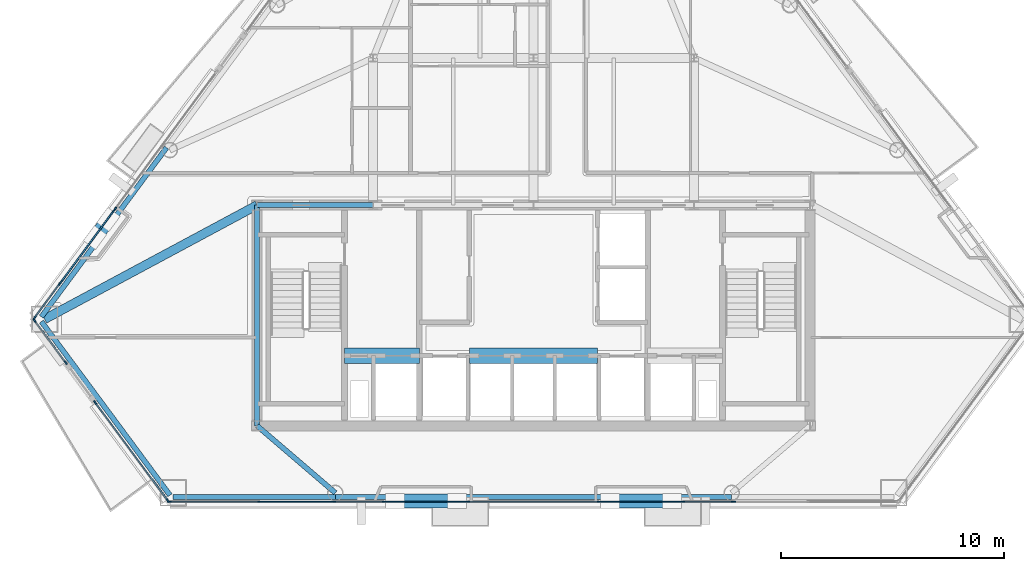
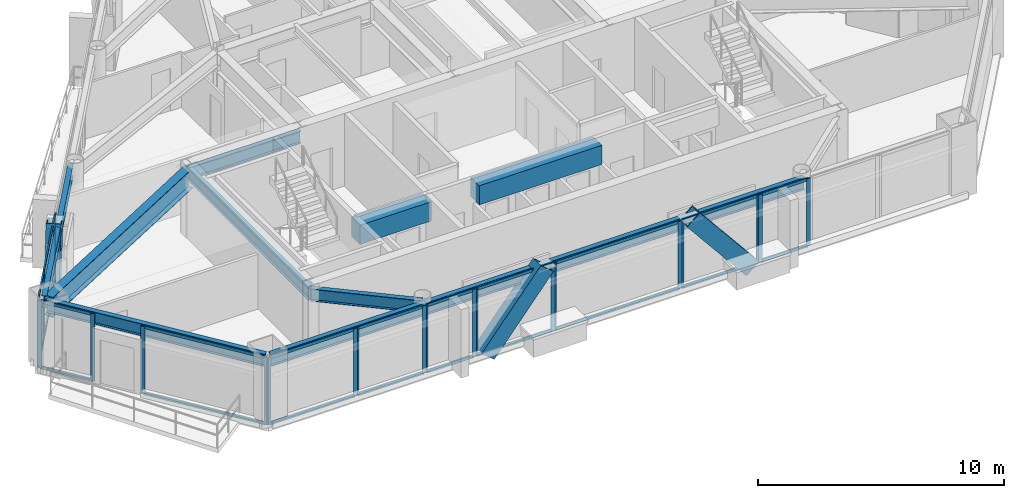
# One storey, part 3 of 13: 48 members, 10 beams, 12 elements without a shape of their own.
"""IFC4 building model written with IfcOpenShell, lengths in metres."""

from ifc_helpers import new_model, si_unit, direction, frame, origin, origin_2d, place, context, subcontext, project, spatial, rectangle, hollow_rectangle, i_section, extrude, material, layer, layer_set, material_profile, profile_set, type_object, element, aggregate, save


model = new_model("IFC4")

# Units and contexts
model_context = context("Model", 3, precision=1e-05, world=origin(), true_north=direction((0.0, 1.0)))
body_context = subcontext(model_context, "Body", "Model", "MODEL_VIEW")
ifc_project = project(units=[si_unit("LENGTHUNIT", "METRE"), si_unit("AREAUNIT", "SQUARE_METRE"), si_unit("VOLUMEUNIT", "CUBIC_METRE"), si_unit("PLANEANGLEUNIT", "RADIAN"), si_unit("MASSUNIT", "GRAM", prefix="KILO")], contexts=[model_context])

# Site, building, storey
site_placement = place(None, origin())
site = spatial("IfcSite", under=ifc_project, at=site_placement, CompositionType="ELEMENT")
building_placement = place(site_placement, origin())
building = spatial("IfcBuilding", under=site, at=building_placement, Name="Talgorran Terracotta Tower", CompositionType="ELEMENT")
storey_placement = place(building_placement, frame((0.0, 0.0, 106.800048828125)))
storey = spatial("IfcBuildingStorey", under=building, at=storey_placement, Name="L27", CompositionType="ELEMENT", Elevation=106.800048828125)

# Beams
ifc_material_1 = material(Name="Steel Grade 350 (350L0)", Category="steel")
ifc_material_profile_1 = material_profile(ifc_material_1, i_section(OverallWidth=0.39990234375, OverallDepth=1.0, WebThickness=0.01611328125, FlangeThickness=0.031005859375, at=origin_2d()), Name="1000WB296")
ifc_profile_set_1 = profile_set([ifc_material_profile_1], Name="Steel Grade 350 (350L0)")
beam_type_1 = type_object("IfcBeamType", Name="BM_1000WB296", PredefinedType="BEAM", material=ifc_profile_set_1)
beam_1_placement = place(storey_placement, frame((-12.39990234375, -4.199951171875, 2.849853515625), z_axis=(-0.88117219048, -0.472795485093, 0.0), x_axis=(0.472795485093, -0.88117219048, 0.0)))
element("IfcBeam", 1, at=beam_1_placement, inside=storey, type_object=beam_type_1, Name="L27 Floor Girder G17", PredefinedType="BEAM", context=body_context, shape_type="SweptSolid", body=[
    extrude(i_section(OverallWidth=0.39990234375, OverallDepth=1.0, WebThickness=0.01611328125, FlangeThickness=0.031005859375, at=origin_2d()), origin(), (0.0, 0.0, 1.0), 10.820068359375),
])
ifc_material_2 = material(Name="Concrete C65/80", Category="concrete")
ifc_material_profile_2 = material_profile(ifc_material_2, rectangle(XDim=0.699951171875, YDim=0.949951171875, at=origin_2d()), Name="RCCB700X950")
ifc_profile_set_2 = profile_set([ifc_material_profile_2], Name="Concrete C65/80")
beam_type_2 = type_object("IfcBeamType", Name="BM_CB_700X950", PredefinedType="LINTEL", material=ifc_profile_set_2)
beam_2_placement = place(storey_placement, frame((-8.47998046875, -10.949951171875, 2.875), z_axis=(1.0, 0.0, 0.0), x_axis=(0.0, 1.0, 0.0)))
element("IfcBeam", 2, at=beam_2_placement, inside=storey, type_object=beam_type_2, Name="L27 Core Shear-Wall Coupling Beam CB1", PredefinedType="LINTEL", context=body_context, shape_type="SweptSolid", body=[
    extrude(rectangle(XDim=0.699951171875, YDim=0.949951171875, at=origin_2d()), origin(), (0.0, 0.0, 1.0), 3.35986328125),
])
beam_3_placement = place(storey_placement, frame((-2.8798828125, -10.949951171875, 2.875), z_axis=(1.0, 0.0, 0.0), x_axis=(0.0, 1.0, 0.0)))
element("IfcBeam", 3, at=beam_3_placement, inside=storey, type_object=beam_type_2, Name="L27 Core Shear-Wall Coupling Beam CB2", PredefinedType="LINTEL", context=body_context, shape_type="SweptSolid", body=[
    extrude(rectangle(XDim=0.699951171875, YDim=0.949951171875, at=origin_2d()), origin(), (0.0, 0.0, 1.0), 5.759765625),
])
ifc_material_3 = material(Name="Steel S355 (300PLUS)", Category="steel")
ifc_material_profile_3 = material_profile(ifc_material_3, i_section(OverallWidth=0.22900390625, OverallDepth=0.611572265625, WebThickness=0.011962890625, FlangeThickness=0.01953125, at=origin_2d()), Name="610UB125")
ifc_profile_set_3 = profile_set([ifc_material_profile_3], Name="Steel S355 (300PLUS)")
beam_type_3 = type_object("IfcBeamType", Name="BM_SP_610UB125", PredefinedType="SPANDREL", material=ifc_profile_set_3)
beam_4_placement = place(storey_placement, frame((-22.0791015625, -9.422607421875, 3.044189453125), z_axis=(0.594914928608, -0.803788671057, 0.0), x_axis=(0.803788671057, 0.594914928608, 0.0)))
element("IfcBeam", 4, at=beam_4_placement, inside=storey, type_object=beam_type_3, Name="L27 Perimeter Spandrel Beam MC1-MC2", PredefinedType="SPANDREL", context=body_context, shape_type="SweptSolid", body=[
    extrude(i_section(OverallWidth=0.22900390625, OverallDepth=0.611572265625, WebThickness=0.011962890625, FlangeThickness=0.01953125, at=origin_2d()), origin(), (0.0, 0.0, 1.0), 9.6943359375),
])
beam_5_placement = place(storey_placement, frame((-16.1669921875, -17.287841796875, 3.044189453125), z_axis=(1.0, 0.0, 0.0), x_axis=(0.0, 1.0, 0.0)))
element("IfcBeam", 5, at=beam_5_placement, inside=storey, type_object=beam_type_3, Name="L27 Perimeter Spandrel Beam MC2-FC1", PredefinedType="SPANDREL", context=body_context, shape_type="SweptSolid", body=[
    extrude(i_section(OverallWidth=0.22900390625, OverallDepth=0.611572265625, WebThickness=0.011962890625, FlangeThickness=0.01953125, at=origin_2d()), origin(), (0.0, 0.0, 1.0), 7.275146484375),
])
beam_6_placement = place(storey_placement, frame((-8.891845703125, -17.287841796875, 3.044189453125), z_axis=(1.0, 0.0, 0.0), x_axis=(0.0, 1.0, 0.0)))
element("IfcBeam", 6, at=beam_6_placement, inside=storey, type_object=beam_type_3, Name="L27 Perimeter Spandrel Beam FC1-FC2", PredefinedType="SPANDREL", context=body_context, shape_type="SweptSolid", body=[
    extrude(i_section(OverallWidth=0.22900390625, OverallDepth=0.611572265625, WebThickness=0.011962890625, FlangeThickness=0.01953125, at=origin_2d()), origin(), (0.0, 0.0, 1.0), 17.78369140625),
])
beam_7_placement = place(storey_placement, frame((-16.46337890625, -1.621337890625, 3.044189453125), z_axis=(-0.594926898508, -0.803779811535, 0.0), x_axis=(0.803779811535, -0.594926898508, 0.0)))
element("IfcBeam", 7, at=beam_7_placement, inside=storey, type_object=beam_type_3, Name="L27 Perimeter Spandrel Beam FC6-MC1", PredefinedType="SPANDREL", context=body_context, shape_type="SweptSolid", body=[
    extrude(i_section(OverallWidth=0.22900390625, OverallDepth=0.611572265625, WebThickness=0.011962890625, FlangeThickness=0.01953125, at=origin_2d()), origin(), (0.0, 0.0, 1.0), 9.439453125),
])
beam_8_placement = place(storey_placement, frame((-8.891845703125, -17.10791015625, 3.044189453125), z_axis=(-0.759159629556, 0.650904491345, 0.0), x_axis=(-0.650904491345, -0.759159629556, 0.0)))
element("IfcBeam", 8, at=beam_8_placement, inside=storey, type_object=beam_type_3, Name="L27 South-West Core Tie Beam", PredefinedType="SPANDREL", context=body_context, shape_type="SweptSolid", body=[
    extrude(i_section(OverallWidth=0.22900390625, OverallDepth=0.611572265625, WebThickness=0.011962890625, FlangeThickness=0.01953125, at=origin_2d()), origin(), (0.0, 0.0, 1.0), 4.62109375),
])
beam_9_placement = place(storey_placement, frame((-12.39990234375, -14.10009765625, 3.044189453125), z_axis=(0.0, 1.0, 0.0), x_axis=(-1.0, 0.0, 0.0)))
element("IfcBeam", 9, at=beam_9_placement, inside=storey, type_object=beam_type_3, Name="L27 Core Frame Beam CFW", PredefinedType="SPANDREL", context=body_context, shape_type="SweptSolid", body=[
    extrude(i_section(OverallWidth=0.22900390625, OverallDepth=0.611572265625, WebThickness=0.011962890625, FlangeThickness=0.01953125, at=origin_2d()), origin(), (0.0, 0.0, 1.0), 9.900146484375),
])
beam_10_placement = place(storey_placement, frame((-12.39990234375, -4.199951171875, 3.044189453125), z_axis=(1.0, 0.0, 0.0), x_axis=(0.0, 1.0, 0.0)))
element("IfcBeam", 10, at=beam_10_placement, inside=storey, type_object=beam_type_3, Name="L27 Core Frame Beam CFN1", PredefinedType="SPANDREL", context=body_context, shape_type="SweptSolid", body=[
    extrude(i_section(OverallWidth=0.22900390625, OverallDepth=0.611572265625, WebThickness=0.011962890625, FlangeThickness=0.01953125, at=origin_2d()), origin(), (0.0, 0.0, 1.0), 5.199951171875),
])

# Members
ifc_material_profile_4 = material_profile(ifc_material_1, hollow_rectangle(XDim=0.6201171875, YDim=0.780029296875, WallThickness=0.0419921875, at=origin_2d()), Name="WBOX780X620X42")
ifc_profile_set_4 = profile_set([ifc_material_profile_4], Name="Steel Grade 350 (350L0)")
member_type_1 = type_object("IfcMemberType", Name="MB_MEGA_780", PredefinedType="BRACE", material=ifc_profile_set_4)
for number, where, z_axis, x_axis, name in (
    (11, (-6.21240234375, -17.4677734375, -0.025146484375), (0.632877464164, 0.0, 0.774251971488), (0.0, 1.0, 0.0), "L27 Exterior Face Mega-Brace MB-2 (SWF)"),
    (12, (6.21240234375, -17.4677734375, -0.025146484375), (-0.632877464164, 0.0, 0.774251971488), (0.0, -1.0, 0.0), "L27 Exterior Face Mega-Brace MB-2 (SEF)"),
):
    element("IfcMember", number, at=place(storey_placement, frame(where, z_axis=z_axis, x_axis=x_axis)), inside=storey, type_object=member_type_1, Name=name, PredefinedType="BRACE", context=body_context, shape_type="SweptSolid", body=[
        extrude(hollow_rectangle(XDim=0.6201171875, YDim=0.780029296875, WallThickness=0.0419921875, at=origin_2d()), origin(), (0.0, 0.0, 1.0), 4.3916015625),
    ])
member_1_placement = place(storey_placement, frame((-19.674560546875, -5.6572265625, -0.025146484375), z_axis=(0.170087742889, 0.229811108919, 0.958257279616), x_axis=(-0.803795867717, 0.594905205089, 0.0)))
element("IfcMember", 13, at=member_1_placement, inside=storey, type_object=member_type_1, Name="L27 Exterior Face Mega-Brace MB-2 (NWL)", PredefinedType="BRACE", context=body_context, shape_type="SweptSolid", body=[
    extrude(hollow_rectangle(XDim=0.6201171875, YDim=0.780029296875, WallThickness=0.0419921875, at=origin_2d()), origin(), (0.0, 0.0, 1.0), 3.54833984375),
])

# Curtain wall, members
ifc_material_4 = material(Name="Unitised Low-E Double Glazing", Category="glass")
ifc_layer = layer(ifc_material_4, 0.199951171875, Name="CW_SYS2_RES_LOW")
ifc_layer_set = layer_set([ifc_layer], Name="Unitised Low-E Double Glazing")
curtain_wall_type = type_object("IfcCurtainWallType", Name="CW_SYS2_RES_LOW", PredefinedType="NOTDEFINED", material=ifc_layer_set)
curtain_wall_1_placement = place(storey_placement, origin())
curtain_wall_1 = element("IfcCurtainWall", 14, at=curtain_wall_1_placement, inside=storey, type_object=curtain_wall_type, Name="CW-L27-F10", PredefinedType="NOTDEFINED")
ifc_material_5 = material(Name="Architectural Aluminium 6063-T6", Category="aluminium")
ifc_material_profile_5 = material_profile(ifc_material_5, rectangle(XDim=0.06494140625, YDim=0.18505859375, at=origin_2d()), Name="CWM65X185")
ifc_profile_set_5 = profile_set([ifc_material_profile_5], Name="Architectural Aluminium 6063-T6")
member_type_2 = type_object("IfcMemberType", Name="MUL_65X185", PredefinedType="MULLION", material=ifc_profile_set_5)
member_2_placement = place(storey_placement, frame((-22.388671875, -9.3740234375, 0.0), z_axis=(0.0, 0.0, 1.0), x_axis=(0.803784171687, 0.594921007652, 0.0)))
member_2 = element("IfcMember", 15, at=member_2_placement, type_object=member_type_2, Name="CW-L27-10 mullion 1", PredefinedType="MULLION", context=body_context, shape_type="SweptSolid", body=[
    extrude(rectangle(XDim=0.06494140625, YDim=0.18505859375, at=origin_2d()), origin(), (0.0, 0.0, 1.0), 3.349853515625),
])
member_3_placement = place(storey_placement, frame((-20.988525390625, -11.265869140625, 0.0), z_axis=(0.0, 0.0, 1.0), x_axis=(0.803784171687, 0.594921007652, 0.0)))
member_3 = element("IfcMember", 16, at=member_3_placement, type_object=member_type_2, Name="CW-L27-10 mullion 2", PredefinedType="MULLION", context=body_context, shape_type="SweptSolid", body=[
    extrude(rectangle(XDim=0.06494140625, YDim=0.18505859375, at=origin_2d()), origin(), (0.0, 0.0, 1.0), 3.349853515625),
])

curtain_wall_2_placement = place(storey_placement, origin())
curtain_wall_2 = element("IfcCurtainWall", 17, at=curtain_wall_2_placement, inside=storey, type_object=curtain_wall_type, Name="CW-L27-F11", PredefinedType="NOTDEFINED")
member_4_placement = place(storey_placement, frame((-19.664794921875, -13.054443359375, 0.0), z_axis=(0.0, 0.0, 1.0), x_axis=(0.803787970557, 0.594915875051, 0.0)))
member_4 = element("IfcMember", 18, at=member_4_placement, type_object=member_type_2, Name="CW-L27-11 mullion 1", PredefinedType="MULLION", context=body_context, shape_type="SweptSolid", body=[
    extrude(rectangle(XDim=0.06494140625, YDim=0.18505859375, at=origin_2d()), origin(), (0.0, 0.0, 1.0), 3.349853515625),
])
member_5_placement = place(storey_placement, frame((-16.41162109375, -17.449462890625, 0.0), z_axis=(0.0, 0.0, 1.0), x_axis=(0.803787970557, 0.594915875051, 0.0)))
member_5 = element("IfcMember", 19, at=member_5_placement, type_object=member_type_2, Name="CW-L27-11 mullion 2", PredefinedType="MULLION", context=body_context, shape_type="SweptSolid", body=[
    extrude(rectangle(XDim=0.06494140625, YDim=0.18505859375, at=origin_2d()), origin(), (0.0, 0.0, 1.0), 3.349853515625),
])

curtain_wall_3_placement = place(storey_placement, origin())
curtain_wall_3 = element("IfcCurtainWall", 20, at=curtain_wall_3_placement, inside=storey, type_object=curtain_wall_type, Name="CW-L27-F1", PredefinedType="NOTDEFINED")
member_6_placement = place(storey_placement, frame((-16.336181640625, -17.5078125, 0.0), z_axis=(0.0, 0.0, 1.0), x_axis=(0.0, 1.0, 0.0)))
member_6 = element("IfcMember", 21, at=member_6_placement, type_object=member_type_2, Name="CW-L27-1 mullion 1", PredefinedType="MULLION", context=body_context, shape_type="SweptSolid", body=[
    extrude(rectangle(XDim=0.06494140625, YDim=0.18505859375, at=origin_2d()), origin(), (0.0, 0.0, 1.0), 3.349853515625),
])
member_7_placement = place(storey_placement, frame((-12.281982421875, -17.5078125, 0.0), z_axis=(0.0, 0.0, 1.0), x_axis=(0.0, 1.0, 0.0)))
member_7 = element("IfcMember", 22, at=member_7_placement, type_object=member_type_2, Name="CW-L27-1 mullion 2", PredefinedType="MULLION", context=body_context, shape_type="SweptSolid", body=[
    extrude(rectangle(XDim=0.06494140625, YDim=0.18505859375, at=origin_2d()), origin(), (0.0, 0.0, 1.0), 3.349853515625),
])

curtain_wall_4_placement = place(storey_placement, origin())
curtain_wall_4 = element("IfcCurtainWall", 23, at=curtain_wall_4_placement, inside=storey, type_object=curtain_wall_type, Name="CW-L27-F1B", PredefinedType="NOTDEFINED")
member_8_placement = place(storey_placement, frame((-12.206787109375, -17.5078125, 0.0), z_axis=(0.0, 0.0, 1.0), x_axis=(0.0, 1.0, 0.0)))
member_8 = element("IfcMember", 24, at=member_8_placement, type_object=member_type_2, Name="CW-L27-1B mullion 1", PredefinedType="MULLION", context=body_context, shape_type="SweptSolid", body=[
    extrude(rectangle(XDim=0.06494140625, YDim=0.18505859375, at=origin_2d()), origin(), (0.0, 0.0, 1.0), 3.349853515625),
])
member_9_placement = place(storey_placement, frame((-9.046142578125, -17.5078125, 0.0), z_axis=(0.0, 0.0, 1.0), x_axis=(0.0, 1.0, 0.0)))
member_9 = element("IfcMember", 25, at=member_9_placement, type_object=member_type_2, Name="CW-L27-1B mullion 2", PredefinedType="MULLION", context=body_context, shape_type="SweptSolid", body=[
    extrude(rectangle(XDim=0.06494140625, YDim=0.18505859375, at=origin_2d()), origin(), (0.0, 0.0, 1.0), 3.349853515625),
])

curtain_wall_5_placement = place(storey_placement, origin())
curtain_wall_5 = element("IfcCurtainWall", 26, at=curtain_wall_5_placement, inside=storey, type_object=curtain_wall_type, Name="CW-L27-F1C", PredefinedType="NOTDEFINED")
member_10_placement = place(storey_placement, frame((-8.97119140625, -17.5078125, 0.0), z_axis=(0.0, 0.0, 1.0), x_axis=(0.0, 1.0, 0.0)))
member_10 = element("IfcMember", 27, at=member_10_placement, type_object=member_type_2, Name="CW-L27-1C mullion 1", PredefinedType="MULLION", context=body_context, shape_type="SweptSolid", body=[
    extrude(rectangle(XDim=0.06494140625, YDim=0.18505859375, at=origin_2d()), origin(), (0.0, 0.0, 1.0), 3.349853515625),
])
member_11_placement = place(storey_placement, frame((-6.701904296875, -17.5078125, 0.0), z_axis=(0.0, 0.0, 1.0), x_axis=(0.0, 1.0, 0.0)))
member_11 = element("IfcMember", 28, at=member_11_placement, type_object=member_type_2, Name="CW-L27-1C mullion 2", PredefinedType="MULLION", context=body_context, shape_type="SweptSolid", body=[
    extrude(rectangle(XDim=0.06494140625, YDim=0.18505859375, at=origin_2d()), origin(), (0.0, 0.0, 1.0), 3.349853515625),
])

curtain_wall_6_placement = place(storey_placement, origin())
curtain_wall_6 = element("IfcCurtainWall", 29, at=curtain_wall_6_placement, inside=storey, type_object=curtain_wall_type, Name="CW-L27-F1D", PredefinedType="NOTDEFINED")
member_12_placement = place(storey_placement, frame((-6.626953125, -17.5078125, 0.0), z_axis=(0.0, 0.0, 1.0), x_axis=(0.0, 1.0, 0.0)))
member_12 = element("IfcMember", 30, at=member_12_placement, type_object=member_type_2, Name="CW-L27-1D mullion 1", PredefinedType="MULLION", context=body_context, shape_type="SweptSolid", body=[
    extrude(rectangle(XDim=0.06494140625, YDim=0.18505859375, at=origin_2d()), origin(), (0.0, 0.0, 1.0), 3.349853515625),
])
member_13_placement = place(storey_placement, frame((-3.018798828125, -17.5078125, 0.0), z_axis=(0.0, 0.0, 1.0), x_axis=(0.0, 1.0, 0.0)))
member_13 = element("IfcMember", 31, at=member_13_placement, type_object=member_type_2, Name="CW-L27-1D mullion 2", PredefinedType="MULLION", context=body_context, shape_type="SweptSolid", body=[
    extrude(rectangle(XDim=0.06494140625, YDim=0.18505859375, at=origin_2d()), origin(), (0.0, 0.0, 1.0), 3.349853515625),
])

curtain_wall_7_placement = place(storey_placement, origin())
curtain_wall_7 = element("IfcCurtainWall", 32, at=curtain_wall_7_placement, inside=storey, type_object=curtain_wall_type, Name="CW-L27-F1E", PredefinedType="NOTDEFINED")
member_14_placement = place(storey_placement, frame((-2.943603515625, -17.5078125, 0.0), z_axis=(0.0, 0.0, 1.0), x_axis=(0.0, 1.0, 0.0)))
member_14 = element("IfcMember", 33, at=member_14_placement, type_object=member_type_2, Name="CW-L27-1E mullion 1", PredefinedType="MULLION", context=body_context, shape_type="SweptSolid", body=[
    extrude(rectangle(XDim=0.06494140625, YDim=0.18505859375, at=origin_2d()), origin(), (0.0, 0.0, 1.0), 3.349853515625),
])
member_15_placement = place(storey_placement, frame((2.943603515625, -17.5078125, 0.0), z_axis=(0.0, 0.0, 1.0), x_axis=(0.0, 1.0, 0.0)))
member_15 = element("IfcMember", 34, at=member_15_placement, type_object=member_type_2, Name="CW-L27-1E mullion 2", PredefinedType="MULLION", context=body_context, shape_type="SweptSolid", body=[
    extrude(rectangle(XDim=0.06494140625, YDim=0.18505859375, at=origin_2d()), origin(), (0.0, 0.0, 1.0), 3.349853515625),
])

curtain_wall_8_placement = place(storey_placement, origin())
curtain_wall_8 = element("IfcCurtainWall", 35, at=curtain_wall_8_placement, inside=storey, type_object=curtain_wall_type, Name="CW-L27-F1F", PredefinedType="NOTDEFINED")
member_16_placement = place(storey_placement, frame((3.018798828125, -17.5078125, 0.0), z_axis=(0.0, 0.0, 1.0), x_axis=(0.0, 1.0, 0.0)))
member_16 = element("IfcMember", 36, at=member_16_placement, type_object=member_type_2, Name="CW-L27-1F mullion 1", PredefinedType="MULLION", context=body_context, shape_type="SweptSolid", body=[
    extrude(rectangle(XDim=0.06494140625, YDim=0.18505859375, at=origin_2d()), origin(), (0.0, 0.0, 1.0), 3.349853515625),
])
member_17_placement = place(storey_placement, frame((6.626953125, -17.5078125, 0.0), z_axis=(0.0, 0.0, 1.0), x_axis=(0.0, 1.0, 0.0)))
member_17 = element("IfcMember", 37, at=member_17_placement, type_object=member_type_2, Name="CW-L27-1F mullion 2", PredefinedType="MULLION", context=body_context, shape_type="SweptSolid", body=[
    extrude(rectangle(XDim=0.06494140625, YDim=0.18505859375, at=origin_2d()), origin(), (0.0, 0.0, 1.0), 3.349853515625),
])

curtain_wall_9_placement = place(storey_placement, origin())
curtain_wall_9 = element("IfcCurtainWall", 38, at=curtain_wall_9_placement, inside=storey, type_object=curtain_wall_type, Name="CW-L27-F1G", PredefinedType="NOTDEFINED")
member_18_placement = place(storey_placement, frame((6.701904296875, -17.5078125, 0.0), z_axis=(0.0, 0.0, 1.0), x_axis=(0.0, 1.0, 0.0)))
member_18 = element("IfcMember", 39, at=member_18_placement, type_object=member_type_2, Name="CW-L27-1G mullion 1", PredefinedType="MULLION", context=body_context, shape_type="SweptSolid", body=[
    extrude(rectangle(XDim=0.06494140625, YDim=0.18505859375, at=origin_2d()), origin(), (0.0, 0.0, 1.0), 3.349853515625),
])
member_19_placement = place(storey_placement, frame((8.97119140625, -17.5078125, 0.0), z_axis=(0.0, 0.0, 1.0), x_axis=(0.0, 1.0, 0.0)))
member_19 = element("IfcMember", 40, at=member_19_placement, type_object=member_type_2, Name="CW-L27-1G mullion 2", PredefinedType="MULLION", context=body_context, shape_type="SweptSolid", body=[
    extrude(rectangle(XDim=0.06494140625, YDim=0.18505859375, at=origin_2d()), origin(), (0.0, 0.0, 1.0), 3.349853515625),
])

# Curtain wall, member
curtain_wall_10_placement = place(storey_placement, origin())
curtain_wall_10 = element("IfcCurtainWall", 41, at=curtain_wall_10_placement, inside=storey, type_object=curtain_wall_type, Name="CW-L27-F61", PredefinedType="NOTDEFINED")
member_20_placement = place(storey_placement, frame((-18.769287109375, -4.366943359375, 0.0), z_axis=(0.0, 0.0, 1.0), x_axis=(0.803792121414, -0.594910266807, 0.0)))
member_20 = element("IfcMember", 42, at=member_20_placement, type_object=member_type_2, Name="CW-L27-61 mullion 2", PredefinedType="MULLION", context=body_context, shape_type="SweptSolid", body=[
    extrude(rectangle(XDim=0.06494140625, YDim=0.18505859375, at=origin_2d()), origin(), (0.0, 0.0, 1.0), 3.349853515625),
])
aggregate(curtain_wall_10, [member_20])

# Curtain wall, members
curtain_wall_11_placement = place(storey_placement, origin())
curtain_wall_11 = element("IfcCurtainWall", 43, at=curtain_wall_11_placement, inside=storey, type_object=curtain_wall_type, Name="CW-L27-F61B", PredefinedType="NOTDEFINED")
member_21_placement = place(storey_placement, frame((-18.81396484375, -4.42724609375, 0.0), z_axis=(0.0, 0.0, 1.0), x_axis=(0.803783307377, -0.594922175399, 0.0)))
member_21 = element("IfcMember", 44, at=member_21_placement, type_object=member_type_2, Name="CW-L27-61B mullion 1", PredefinedType="MULLION", context=body_context, shape_type="SweptSolid", body=[
    extrude(rectangle(XDim=0.06494140625, YDim=0.18505859375, at=origin_2d()), origin(), (0.0, 0.0, 1.0), 3.349853515625),
])
member_22_placement = place(storey_placement, frame((-21.202880859375, -7.655029296875, 0.0), z_axis=(0.0, 0.0, 1.0), x_axis=(0.803783307377, -0.594922175399, 0.0)))
member_22 = element("IfcMember", 45, at=member_22_placement, type_object=member_type_2, Name="CW-L27-61B mullion 2", PredefinedType="MULLION", context=body_context, shape_type="SweptSolid", body=[
    extrude(rectangle(XDim=0.06494140625, YDim=0.18505859375, at=origin_2d()), origin(), (0.0, 0.0, 1.0), 3.349853515625),
])

curtain_wall_12_placement = place(storey_placement, origin())
curtain_wall_12 = element("IfcCurtainWall", 46, at=curtain_wall_12_placement, inside=storey, type_object=curtain_wall_type, Name="CW-L27-F61C", PredefinedType="NOTDEFINED")
member_23_placement = place(storey_placement, frame((-21.24755859375, -7.71533203125, 0.0), z_axis=(0.0, 0.0, 1.0), x_axis=(0.803777762488, -0.594929666877, 0.0)))
member_23 = element("IfcMember", 47, at=member_23_placement, type_object=member_type_2, Name="CW-L27-61C mullion 1", PredefinedType="MULLION", context=body_context, shape_type="SweptSolid", body=[
    extrude(rectangle(XDim=0.06494140625, YDim=0.18505859375, at=origin_2d()), origin(), (0.0, 0.0, 1.0), 3.349853515625),
])
member_24_placement = place(storey_placement, frame((-22.388671875, -9.25732421875, 0.0), z_axis=(0.0, 0.0, 1.0), x_axis=(0.803777762488, -0.594929666877, 0.0)))
member_24 = element("IfcMember", 48, at=member_24_placement, type_object=member_type_2, Name="CW-L27-61C mullion 2", PredefinedType="MULLION", context=body_context, shape_type="SweptSolid", body=[
    extrude(rectangle(XDim=0.06494140625, YDim=0.18505859375, at=origin_2d()), origin(), (0.0, 0.0, 1.0), 3.349853515625),
])

# Member
ifc_material_profile_6 = material_profile(ifc_material_5, rectangle(XDim=0.06494140625, YDim=0.14990234375, at=origin_2d()), Name="CWT65X150")
ifc_profile_set_6 = profile_set([ifc_material_profile_6], Name="Architectural Aluminium 6063-T6")
member_type_3 = type_object("IfcMemberType", Name="TRN_65X150", PredefinedType="USERDEFINED", material=ifc_profile_set_6)
member_25_placement = place(storey_placement, frame((-22.369384765625, -9.400146484375, 0.032470703125), z_axis=(0.59491882403, -0.803785787891, 0.0), x_axis=(0.803785787891, 0.59491882403, 0.0)))
member_25 = element("IfcMember", 49, at=member_25_placement, type_object=member_type_3, Name="CW-L27-10 transom 1.1", ObjectType="TRANSOM", PredefinedType="USERDEFINED", context=body_context, shape_type="SweptSolid", body=[
    extrude(rectangle(XDim=0.06494140625, YDim=0.14990234375, at=origin_2d()), origin(), (0.0, 0.0, 1.0), 2.28857421875),
])

member_26_placement = place(storey_placement, frame((-22.369384765625, -9.400146484375, 3.3173828125), z_axis=(0.59491882403, -0.803785787891, 0.0), x_axis=(0.803785787891, 0.59491882403, 0.0)))
member_26 = element("IfcMember", 50, at=member_26_placement, type_object=member_type_3, Name="CW-L27-10 transom 1.2", ObjectType="TRANSOM", PredefinedType="USERDEFINED", context=body_context, shape_type="SweptSolid", body=[
    extrude(rectangle(XDim=0.06494140625, YDim=0.14990234375, at=origin_2d()), origin(), (0.0, 0.0, 1.0), 2.28857421875),
])

aggregate(curtain_wall_1, [member_2, member_3, member_25, member_26])

member_27_placement = place(storey_placement, frame((-19.6455078125, -13.08056640625, 0.032470703125), z_axis=(0.594927092022, -0.803779668304, 0.0), x_axis=(0.803779668304, 0.594927092022, 0.0)))
member_27 = element("IfcMember", 51, at=member_27_placement, type_object=member_type_3, Name="CW-L27-11 transom 1.1", ObjectType="TRANSOM", PredefinedType="USERDEFINED", context=body_context, shape_type="SweptSolid", body=[
    extrude(rectangle(XDim=0.06494140625, YDim=0.14990234375, at=origin_2d()), origin(), (0.0, 0.0, 1.0), 5.40283203125),
])

member_28_placement = place(storey_placement, frame((-19.6455078125, -13.08056640625, 3.3173828125), z_axis=(0.594927092022, -0.803779668304, 0.0), x_axis=(0.803779668304, 0.594927092022, 0.0)))
member_28 = element("IfcMember", 52, at=member_28_placement, type_object=member_type_3, Name="CW-L27-11 transom 1.2", ObjectType="TRANSOM", PredefinedType="USERDEFINED", context=body_context, shape_type="SweptSolid", body=[
    extrude(rectangle(XDim=0.06494140625, YDim=0.14990234375, at=origin_2d()), origin(), (0.0, 0.0, 1.0), 5.40283203125),
])

aggregate(curtain_wall_2, [member_4, member_5, member_27, member_28])

member_29_placement = place(storey_placement, frame((-16.3037109375, -17.5078125, 0.032470703125), z_axis=(1.0, 0.0, 0.0), x_axis=(0.0, 1.0, 0.0)))
member_29 = element("IfcMember", 53, at=member_29_placement, type_object=member_type_3, Name="CW-L27-1 transom 1.1", ObjectType="TRANSOM", PredefinedType="USERDEFINED", context=body_context, shape_type="SweptSolid", body=[
    extrude(rectangle(XDim=0.06494140625, YDim=0.14990234375, at=origin_2d()), origin(), (0.0, 0.0, 1.0), 3.9892578125),
])

member_30_placement = place(storey_placement, frame((-16.3037109375, -17.5078125, 3.3173828125), z_axis=(1.0, 0.0, 0.0), x_axis=(0.0, 1.0, 0.0)))
member_30 = element("IfcMember", 54, at=member_30_placement, type_object=member_type_3, Name="CW-L27-1 transom 1.2", ObjectType="TRANSOM", PredefinedType="USERDEFINED", context=body_context, shape_type="SweptSolid", body=[
    extrude(rectangle(XDim=0.06494140625, YDim=0.14990234375, at=origin_2d()), origin(), (0.0, 0.0, 1.0), 3.9892578125),
])

aggregate(curtain_wall_3, [member_6, member_7, member_29, member_30])

member_31_placement = place(storey_placement, frame((-12.17431640625, -17.5078125, 0.032470703125), z_axis=(1.0, 0.0, 0.0), x_axis=(0.0, 1.0, 0.0)))
member_31 = element("IfcMember", 55, at=member_31_placement, type_object=member_type_3, Name="CW-L27-1B transom 1.1", ObjectType="TRANSOM", PredefinedType="USERDEFINED", context=body_context, shape_type="SweptSolid", body=[
    extrude(rectangle(XDim=0.06494140625, YDim=0.14990234375, at=origin_2d()), origin(), (0.0, 0.0, 1.0), 3.095703125),
])

member_32_placement = place(storey_placement, frame((-12.17431640625, -17.5078125, 3.3173828125), z_axis=(1.0, 0.0, 0.0), x_axis=(0.0, 1.0, 0.0)))
member_32 = element("IfcMember", 56, at=member_32_placement, type_object=member_type_3, Name="CW-L27-1B transom 1.2", ObjectType="TRANSOM", PredefinedType="USERDEFINED", context=body_context, shape_type="SweptSolid", body=[
    extrude(rectangle(XDim=0.06494140625, YDim=0.14990234375, at=origin_2d()), origin(), (0.0, 0.0, 1.0), 3.095703125),
])

aggregate(curtain_wall_4, [member_8, member_9, member_31, member_32])

member_33_placement = place(storey_placement, frame((-8.938720703125, -17.5078125, 0.032470703125), z_axis=(1.0, 0.0, 0.0), x_axis=(0.0, 1.0, 0.0)))
member_33 = element("IfcMember", 57, at=member_33_placement, type_object=member_type_3, Name="CW-L27-1C transom 1.1", ObjectType="TRANSOM", PredefinedType="USERDEFINED", context=body_context, shape_type="SweptSolid", body=[
    extrude(rectangle(XDim=0.06494140625, YDim=0.14990234375, at=origin_2d()), origin(), (0.0, 0.0, 1.0), 2.204345703125),
])

member_34_placement = place(storey_placement, frame((-8.938720703125, -17.5078125, 3.3173828125), z_axis=(1.0, 0.0, 0.0), x_axis=(0.0, 1.0, 0.0)))
member_34 = element("IfcMember", 58, at=member_34_placement, type_object=member_type_3, Name="CW-L27-1C transom 1.2", ObjectType="TRANSOM", PredefinedType="USERDEFINED", context=body_context, shape_type="SweptSolid", body=[
    extrude(rectangle(XDim=0.06494140625, YDim=0.14990234375, at=origin_2d()), origin(), (0.0, 0.0, 1.0), 2.204345703125),
])

aggregate(curtain_wall_5, [member_10, member_11, member_33, member_34])

member_35_placement = place(storey_placement, frame((-6.594482421875, -17.5078125, 0.032470703125), z_axis=(1.0, 0.0, 0.0), x_axis=(0.0, 1.0, 0.0)))
member_35 = element("IfcMember", 59, at=member_35_placement, type_object=member_type_3, Name="CW-L27-1D transom 1.1", ObjectType="TRANSOM", PredefinedType="USERDEFINED", context=body_context, shape_type="SweptSolid", body=[
    extrude(rectangle(XDim=0.06494140625, YDim=0.14990234375, at=origin_2d()), origin(), (0.0, 0.0, 1.0), 3.543212890625),
])

member_36_placement = place(storey_placement, frame((-6.594482421875, -17.5078125, 3.3173828125), z_axis=(1.0, 0.0, 0.0), x_axis=(0.0, 1.0, 0.0)))
member_36 = element("IfcMember", 60, at=member_36_placement, type_object=member_type_3, Name="CW-L27-1D transom 1.2", ObjectType="TRANSOM", PredefinedType="USERDEFINED", context=body_context, shape_type="SweptSolid", body=[
    extrude(rectangle(XDim=0.06494140625, YDim=0.14990234375, at=origin_2d()), origin(), (0.0, 0.0, 1.0), 3.543212890625),
])

aggregate(curtain_wall_6, [member_12, member_13, member_35, member_36])

member_37_placement = place(storey_placement, frame((-2.9111328125, -17.5078125, 0.032470703125), z_axis=(1.0, 0.0, 0.0), x_axis=(0.0, 1.0, 0.0)))
member_37 = element("IfcMember", 61, at=member_37_placement, type_object=member_type_3, Name="CW-L27-1E transom 1.1", ObjectType="TRANSOM", PredefinedType="USERDEFINED", context=body_context, shape_type="SweptSolid", body=[
    extrude(rectangle(XDim=0.06494140625, YDim=0.14990234375, at=origin_2d()), origin(), (0.0, 0.0, 1.0), 5.822265625),
])

member_38_placement = place(storey_placement, frame((-2.9111328125, -17.5078125, 3.3173828125), z_axis=(1.0, 0.0, 0.0), x_axis=(0.0, 1.0, 0.0)))
member_38 = element("IfcMember", 62, at=member_38_placement, type_object=member_type_3, Name="CW-L27-1E transom 1.2", ObjectType="TRANSOM", PredefinedType="USERDEFINED", context=body_context, shape_type="SweptSolid", body=[
    extrude(rectangle(XDim=0.06494140625, YDim=0.14990234375, at=origin_2d()), origin(), (0.0, 0.0, 1.0), 5.822265625),
])

aggregate(curtain_wall_7, [member_14, member_15, member_37, member_38])

member_39_placement = place(storey_placement, frame((3.05126953125, -17.5078125, 0.032470703125), z_axis=(1.0, 0.0, 0.0), x_axis=(0.0, 1.0, 0.0)))
member_39 = element("IfcMember", 63, at=member_39_placement, type_object=member_type_3, Name="CW-L27-1F transom 1.1", ObjectType="TRANSOM", PredefinedType="USERDEFINED", context=body_context, shape_type="SweptSolid", body=[
    extrude(rectangle(XDim=0.06494140625, YDim=0.14990234375, at=origin_2d()), origin(), (0.0, 0.0, 1.0), 3.543212890625),
])

member_40_placement = place(storey_placement, frame((3.05126953125, -17.5078125, 3.3173828125), z_axis=(1.0, 0.0, 0.0), x_axis=(0.0, 1.0, 0.0)))
member_40 = element("IfcMember", 64, at=member_40_placement, type_object=member_type_3, Name="CW-L27-1F transom 1.2", ObjectType="TRANSOM", PredefinedType="USERDEFINED", context=body_context, shape_type="SweptSolid", body=[
    extrude(rectangle(XDim=0.06494140625, YDim=0.14990234375, at=origin_2d()), origin(), (0.0, 0.0, 1.0), 3.543212890625),
])

aggregate(curtain_wall_8, [member_16, member_17, member_39, member_40])

member_41_placement = place(storey_placement, frame((6.734375, -17.5078125, 0.032470703125), z_axis=(1.0, 0.0, 0.0), x_axis=(0.0, 1.0, 0.0)))
member_41 = element("IfcMember", 65, at=member_41_placement, type_object=member_type_3, Name="CW-L27-1G transom 1.1", ObjectType="TRANSOM", PredefinedType="USERDEFINED", context=body_context, shape_type="SweptSolid", body=[
    extrude(rectangle(XDim=0.06494140625, YDim=0.14990234375, at=origin_2d()), origin(), (0.0, 0.0, 1.0), 2.204345703125),
])

member_42_placement = place(storey_placement, frame((6.734375, -17.5078125, 3.3173828125), z_axis=(1.0, 0.0, 0.0), x_axis=(0.0, 1.0, 0.0)))
member_42 = element("IfcMember", 66, at=member_42_placement, type_object=member_type_3, Name="CW-L27-1G transom 1.2", ObjectType="TRANSOM", PredefinedType="USERDEFINED", context=body_context, shape_type="SweptSolid", body=[
    extrude(rectangle(XDim=0.06494140625, YDim=0.14990234375, at=origin_2d()), origin(), (0.0, 0.0, 1.0), 2.204345703125),
])

aggregate(curtain_wall_9, [member_18, member_19, member_41, member_42])

member_43_placement = place(storey_placement, frame((-18.833251953125, -4.453369140625, 0.032470703125), z_axis=(-0.594915676652, -0.8037881174, 0.0), x_axis=(0.8037881174, -0.594915676652, 0.0)))
member_43 = element("IfcMember", 67, at=member_43_placement, type_object=member_type_3, Name="CW-L27-61B transom 1.1", ObjectType="TRANSOM", PredefinedType="USERDEFINED", context=body_context, shape_type="SweptSolid", body=[
    extrude(rectangle(XDim=0.06494140625, YDim=0.14990234375, at=origin_2d()), origin(), (0.0, 0.0, 1.0), 3.95068359375),
])

member_44_placement = place(storey_placement, frame((-18.833251953125, -4.453369140625, 3.3173828125), z_axis=(-0.594915676652, -0.8037881174, 0.0), x_axis=(0.8037881174, -0.594915676652, 0.0)))
member_44 = element("IfcMember", 68, at=member_44_placement, type_object=member_type_3, Name="CW-L27-61B transom 1.2", ObjectType="TRANSOM", PredefinedType="USERDEFINED", context=body_context, shape_type="SweptSolid", body=[
    extrude(rectangle(XDim=0.06494140625, YDim=0.14990234375, at=origin_2d()), origin(), (0.0, 0.0, 1.0), 3.95068359375),
])

aggregate(curtain_wall_11, [member_21, member_22, member_43, member_44])

member_45_placement = place(storey_placement, frame((-21.266845703125, -7.741455078125, 0.032470703125), z_axis=(-0.59488726593, -0.803809144532, 0.0), x_axis=(0.803809144532, -0.59488726593, 0.0)))
member_45 = element("IfcMember", 69, at=member_45_placement, type_object=member_type_3, Name="CW-L27-61C transom 1.1", ObjectType="TRANSOM", PredefinedType="USERDEFINED", context=body_context, shape_type="SweptSolid", body=[
    extrude(rectangle(XDim=0.06494140625, YDim=0.14990234375, at=origin_2d()), origin(), (0.0, 0.0, 1.0), 1.853271484375),
])

member_46_placement = place(storey_placement, frame((-21.266845703125, -7.741455078125, 3.3173828125), z_axis=(-0.59488726593, -0.803809144532, 0.0), x_axis=(0.803809144532, -0.59488726593, 0.0)))
member_46 = element("IfcMember", 70, at=member_46_placement, type_object=member_type_3, Name="CW-L27-61C transom 1.2", ObjectType="TRANSOM", PredefinedType="USERDEFINED", context=body_context, shape_type="SweptSolid", body=[
    extrude(rectangle(XDim=0.06494140625, YDim=0.14990234375, at=origin_2d()), origin(), (0.0, 0.0, 1.0), 1.853271484375),
])

aggregate(curtain_wall_12, [member_23, member_24, member_45, member_46])

save(model, "model.ifc")
